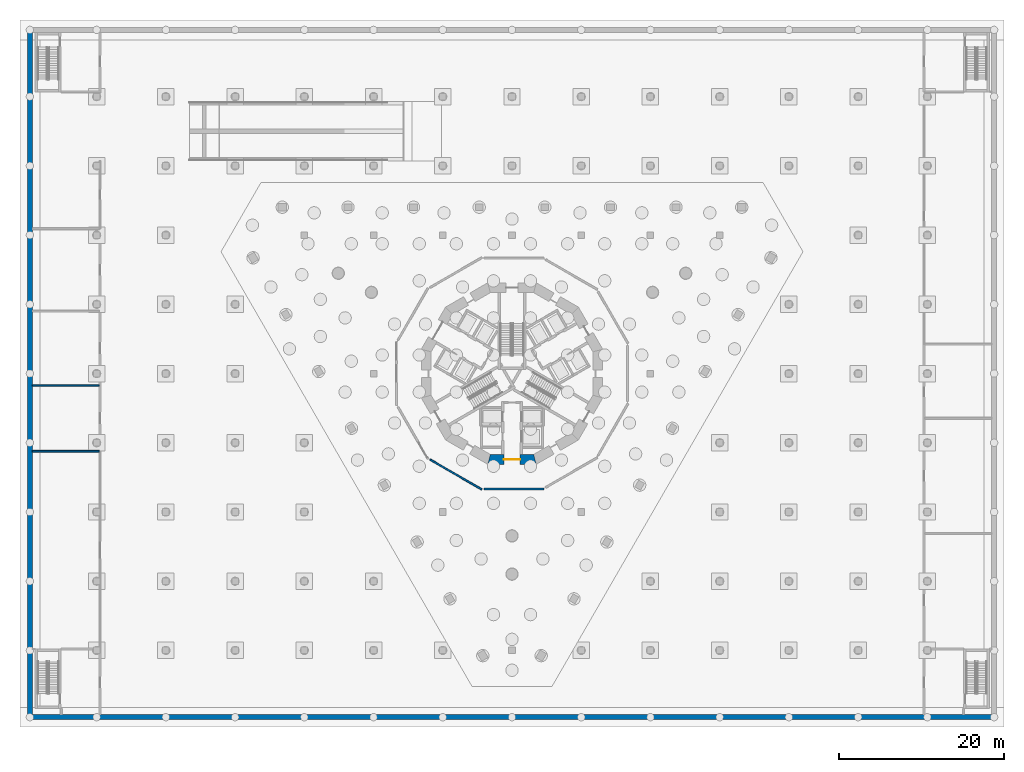
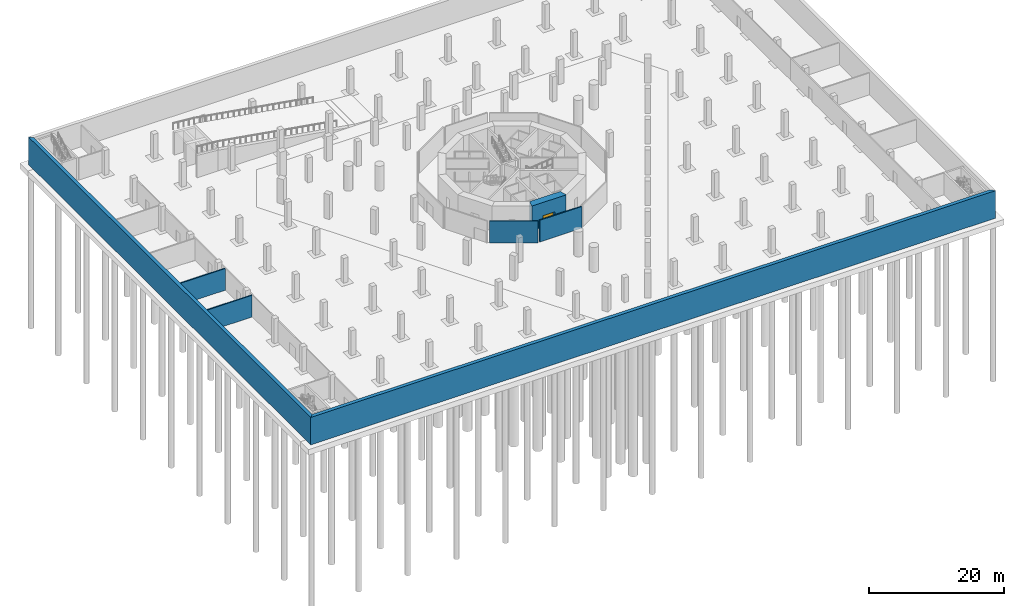
# One storey, part 6 of 23: 7 walls, 1 door, 1 opening.
"""IFC4 building model written with IfcOpenShell, lengths in metres."""

from ifc_helpers import new_model, si_unit, direction, frame, frame_2d, origin, place, context, subcontext, project, spatial, polyline, rectangle, outline, extrude, material, layer, layer_set, type_object, element, fill, save


model = new_model("IFC4")

# Units and contexts
model_context = context("Model", 3, precision=1e-05, world=origin(), true_north=direction((0.0, 1.0)))
body_context = subcontext(model_context, "Body", "Model", "MODEL_VIEW")
ifc_project = project(units=[si_unit("LENGTHUNIT", "METRE"), si_unit("AREAUNIT", "SQUARE_METRE"), si_unit("VOLUMEUNIT", "CUBIC_METRE"), si_unit("PLANEANGLEUNIT", "RADIAN"), si_unit("MASSUNIT", "GRAM", prefix="KILO")], contexts=[model_context])

# Site, building, storey
site_placement = place(None, origin())
site = spatial("IfcSite", under=ifc_project, at=site_placement, CompositionType="ELEMENT")
building_placement = place(site_placement, origin())
building = spatial("IfcBuilding", under=site, at=building_placement, Name="Trine Commons Tower", CompositionType="ELEMENT")
storey_placement = place(building_placement, frame((0.0, 0.0, -9.0)))
storey = spatial("IfcBuildingStorey", under=building, at=storey_placement, Name="B2", CompositionType="ELEMENT", Elevation=-9.0)

# Walls
ifc_material_1 = material(Name="Plasterboard on steel stud", Category="steel")
ifc_layer_1 = layer(ifc_material_1, 0.199951171875)
ifc_layer_set_1 = layer_set([ifc_layer_1], Name="Plasterboard on steel stud")
wall_type_1 = type_object("IfcWallType", Name="Fire wall 200 mm, EI 120", PredefinedType="PARTITIONING", material=ifc_layer_set_1)
for number, where, z_axis, x_axis, name in (
    (1, (21.800048828125, 53.070068359375, 0.0), (0.0, 0.0, 1.0), (1.0, 0.0, 0.0), "Partition B2001"),
    (2, (21.800048828125, 61.070068359375, 0.0), (0.0, 0.0, 1.0), (1.0, 0.0, 0.0), "Partition B2002"),
):
    element("IfcWall", number, at=place(storey_placement, frame(where, z_axis=z_axis, x_axis=x_axis)), inside=storey, type_object=wall_type_1, Name=name, PredefinedType="PARTITIONING", context=body_context, shape_type="SweptSolid", body=[
        extrude(rectangle(XDim=8.099853515625, YDim=0.199951171875, at=frame_2d((4.0498046875, 0.0))), origin(), (0.0, 0.0, 1.0), 3.949951171875),
    ])
for number, where, z_axis, x_axis, name in (
    (3, (70.06591796875, 52.05615234375, 0.0), (0.0, 0.0, 1.0), (0.866037813005, -0.499978505984, 0.0), "Partition B2017"),
    (4, (76.618896484375, 48.488525390625, 0.0), (0.0, 0.0, 1.0), (1.0, 0.0, 0.0), "Partition B2019"),
):
    element("IfcWall", number, at=place(storey_placement, frame(where, z_axis=z_axis, x_axis=x_axis)), inside=storey, type_object=wall_type_1, Name=name, PredefinedType="PARTITIONING", context=body_context, shape_type="SweptSolid", body=[
        extrude(rectangle(XDim=7.235595703125, YDim=0.199951171875, at=frame_2d((3.61767578125, 0.0))), origin(), (0.0, 0.0, 1.0), 3.949951171875),
    ])
ifc_material_2 = material(Name="Concrete C40/50", Category="concrete")
ifc_layer_2 = layer(ifc_material_2, 0.60009765625)
ifc_layer_set_2 = layer_set([ifc_layer_2], Name="Concrete C40/50")
wall_type_2 = type_object("IfcWallType", Name="RC retaining wall 600 mm, C40/50", PredefinedType="SOLIDWALL", material=ifc_layer_set_2)
wall_1_placement = place(storey_placement, frame((21.5, 20.800048828125, -0.5), z_axis=(0.0, 0.0, 1.0), x_axis=(1.0, 0.0, 0.0)))
element("IfcWall", 5, at=wall_1_placement, inside=storey, type_object=wall_type_2, Name="Retaining wall B2 S", PredefinedType="SOLIDWALL", context=body_context, shape_type="SweptSolid", body=[
    extrude(outline(polyline([(-0.300048828125, -0.300048828125), (117.300048828125, -0.300048828125), (116.699951171875, 0.300048828125), (0.300048828125, 0.300048828125), (-0.300048828125, -0.300048828125)])), origin(), (0.0, 0.0, 1.0), 5.0),
])
wall_2_placement = place(storey_placement, frame((21.5, 104.199951171875, -0.5), z_axis=(0.0, 0.0, 1.0), x_axis=(0.0, -1.0, 0.0)))
element("IfcWall", 6, at=wall_2_placement, inside=storey, type_object=wall_type_2, Name="Retaining wall B2 W", PredefinedType="SOLIDWALL", context=body_context, shape_type="SweptSolid", body=[
    extrude(outline(polyline([(-0.300048828125, -0.300048828125), (83.699951171875, -0.300048828125), (83.10009765625, 0.300048828125), (0.300048828125, 0.300048828125), (-0.300048828125, -0.300048828125)])), origin(), (0.0, 0.0, 1.0), 5.0),
])

# Wall, opening, door
ifc_material_3 = material(Name="Concrete C80/95", Category="concrete")
ifc_layer_3 = layer(ifc_material_3, 1.199951171875)
ifc_layer_set_3 = layer_set([ifc_layer_3], Name="Concrete C80/95")
wall_type_3 = type_object("IfcWallType", Name="RC shear wall 1200 mm, C80/95", PredefinedType="SHEAR", material=ifc_layer_set_3)
wall_3_placement = place(storey_placement, frame((77.049560546875, 52.08837890625, 0.0), z_axis=(0.0, 0.0, 1.0), x_axis=(1.0, 0.0, 0.0)))
wall_3 = element("IfcWall", 7, at=wall_3_placement, inside=storey, type_object=wall_type_3, Name="Core wall CWA-10 B2", PredefinedType="SHEAR", context=body_context, shape_type="SweptSolid", body=[
    extrude(outline(polyline([(0.0, -0.60009765625), (5.90087890625, -0.60009765625), (5.57958984375, 0.60009765625), (0.321533203125, 0.60009765625), (0.0, -0.60009765625)])), origin(), (0.0, 0.0, 1.0), 4.5),
])
opening_placement = place(wall_3_placement, frame((1.950439453125, 0.0, 0.0)))
opening = element("IfcOpeningElement", 8, at=opening_placement, cuts=wall_3, Name="Opening K01.08", PredefinedType="OPENING", context=body_context, shape_type="SweptSolid", body=[
    extrude(rectangle(XDim=2.0, YDim=2.10009765625, at=frame_2d((1.0, 1.050048828125))), frame((0.0, 0.60986328125, 0.0), z_axis=(0.0, -1.0, 0.0), x_axis=(1.0, 0.0, 0.0)), (0.0, 0.0, 1.0), 1.219970703125),
])
ifc_material_4 = material(Name="Steel door leaves, fire-rated", Category="steel")
door_type = type_object("IfcDoorType", Name="Lobby door, double leaf 2000 x 2100, FD60", OperationType="DOUBLE_DOOR_SINGLE_SWING", PredefinedType="DOOR", material=ifc_material_4)
door_placement = place(opening_placement, origin())
door = element("IfcDoor", 9, at=door_placement, inside=storey, type_object=door_type, Name="Lobby door, Service and firefighting lobby B2", OperationType="DOUBLE_DOOR_SINGLE_SWING", OverallHeight=2.10009765625, OverallWidth=2.0, PredefinedType="DOOR", context=body_context, shape_type="SweptSolid", body=[
    extrude(rectangle(XDim=2.0, YDim=2.10009765625, at=frame_2d((1.0, 1.050048828125))), frame((0.0, 0.02490234375, 0.0), z_axis=(0.0, -1.0, 0.0), x_axis=(1.0, 0.0, 0.0)), (0.0, 0.0, 1.0), 0.050048828125),
])
fill(opening, door)

save(model, "model.ifc")
